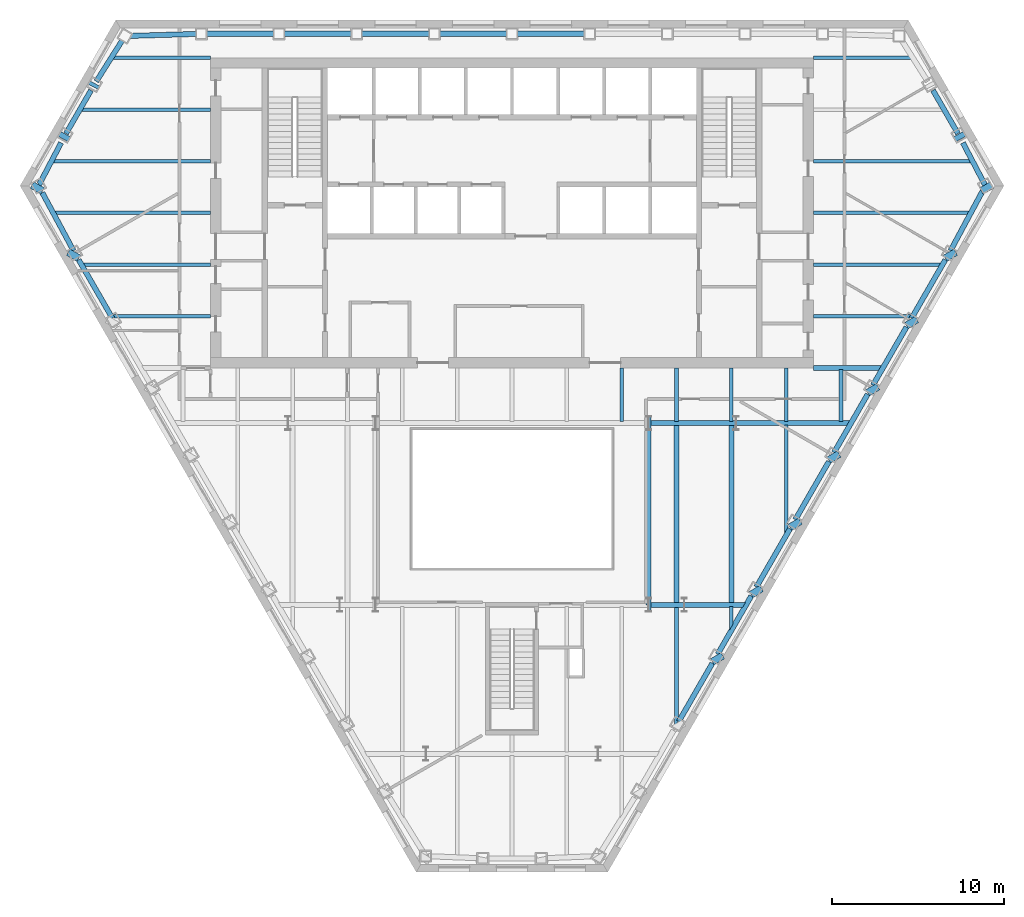
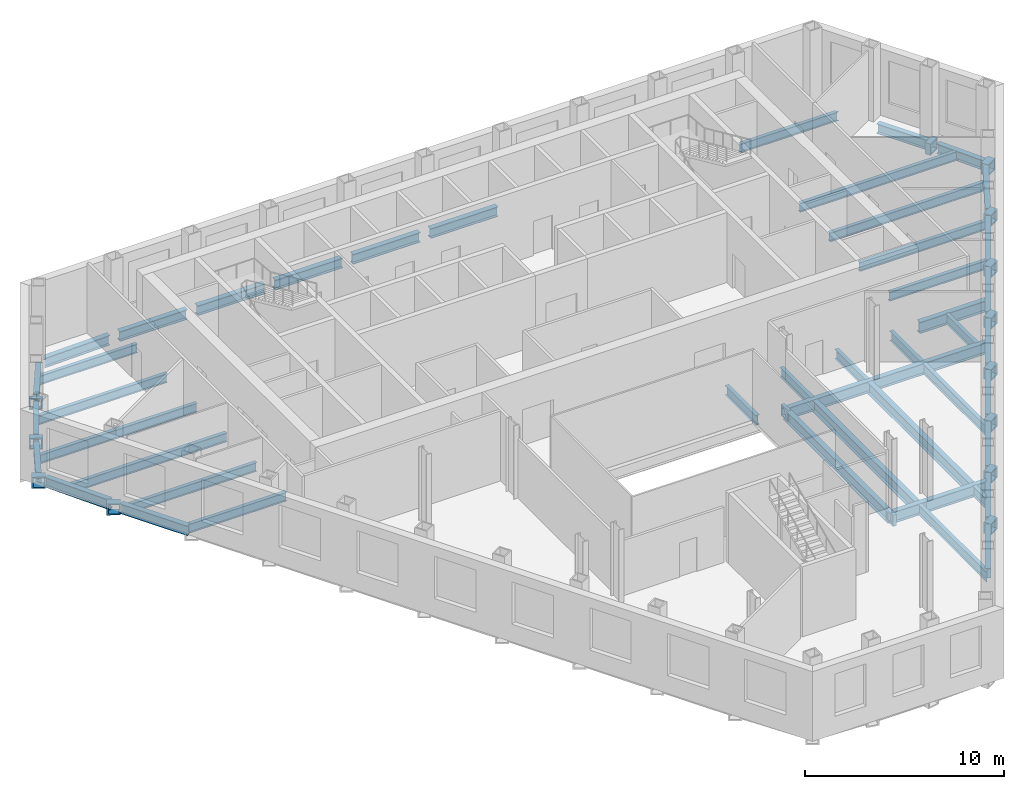
# One storey, part 3 of 12: 63 beams.
"""IFC4 building model written with IfcOpenShell, lengths in metres."""

import ifcopenshell
import ifcopenshell.guid

model = None  # the IFC model being written
_history = None  # IfcOwnerHistory: only IFC2X3 demands one
_inside = {}  # id of a spatial element -> (the spatial element, [elements in it])
_under = {}  # id of a project, library or spatial element -> (it, [spatial elements below it])
_declared = {}  # id of a project -> (the project, [libraries it declares])
_typed = {}  # id of a type object -> (the type object, [elements of that type])
_made_of = {}  # id of a material, layer set ... -> (it, [elements and type objects made of it])


def new_model(schema):
    """Start an empty IFC model of exactly this schema.

    Asked for "IFC4X3", IfcOpenShell would pick the latest addendum, in which some entities
    have other attributes; the version numbers below select the first issue.
    IFC2X3 requires an IfcOwnerHistory on every rooted entity: one is made here for all.
    """
    global model, _history
    if schema == "IFC4X3":
        model = ifcopenshell.file(schema_version=(4, 3, 0, 0))
    else:
        model = ifcopenshell.file(schema=schema)
    _inside.clear()
    _under.clear()
    _declared.clear()
    _typed.clear()
    _made_of.clear()
    _history = None
    if model.schema == "IFC2X3":
        org = make("IfcOrganization", Name="unknown")
        user = make(
            "IfcPersonAndOrganization",
            ThePerson=make("IfcPerson", FamilyName="unknown"),
            TheOrganization=org,
        )
        app = make(
            "IfcApplication",
            ApplicationDeveloper=org,
            Version="unknown",
            ApplicationFullName="unknown",
            ApplicationIdentifier="unknown",
        )
        _history = make(
            "IfcOwnerHistory",
            OwningUser=user,
            OwningApplication=app,
            ChangeAction="ADDED",
            CreationDate=0,
        )
    return model


def make(cls, **values):
    """One entity of the class cls with the attributes given. An attribute that is None is left unset."""
    return model.create_entity(
        cls, **{name: value for name, value in values.items() if value is not None}
    )


def rooted(cls, **values):
    """An entity with a GlobalId (a new one), such as an element, a storey or a relation."""
    return make(cls, GlobalId=ifcopenshell.guid.new(), OwnerHistory=_history, **values)


def si_unit(unit_type, name, prefix=None):
    """IfcSIUnit, for example si_unit("LENGTHUNIT", "METRE", prefix="MILLI")."""
    return make("IfcSIUnit", UnitType=unit_type, Prefix=prefix, Name=name)


def assignment(units):
    """IfcUnitAssignment: the units of a project."""
    return None if units is None else make("IfcUnitAssignment", Units=units)


def point(xyz):
    """IfcCartesianPoint."""
    return None if xyz is None else make("IfcCartesianPoint", Coordinates=xyz)


def direction(xyz):
    """IfcDirection."""
    return None if xyz is None else make("IfcDirection", DirectionRatios=xyz)


def frame(location, z_axis=None, x_axis=None):
    """IfcAxis2Placement3D, a coordinate frame: its origin and axes. An axis left out is left unset."""
    return make(
        "IfcAxis2Placement3D",
        Location=point(location),
        Axis=direction(z_axis),
        RefDirection=direction(x_axis),
    )


def frame_2d(location, x_axis=None):
    """IfcAxis2Placement2D, a coordinate frame in the plane: its origin and x axis."""
    return make(
        "IfcAxis2Placement2D", Location=point(location), RefDirection=direction(x_axis)
    )


def origin():
    """The frame at (0, 0, 0) with its axes left unset."""
    return frame((0.0, 0.0, 0.0))


def origin_2d():
    """The frame at (0, 0) in the plane with its x axis left unset."""
    return frame_2d((0.0, 0.0))


def place(relative_to, where):
    """IfcLocalPlacement: puts the frame where relative to a parent placement (None: the world)."""
    return make(
        "IfcLocalPlacement", PlacementRelTo=relative_to, RelativePlacement=where
    )


def context(
    kind, dimensions, precision=None, world=None, true_north=None, identifier=None
):
    """IfcGeometricRepresentationContext, for example the 3D "Model" context."""
    return make(
        "IfcGeometricRepresentationContext",
        ContextIdentifier=identifier,
        ContextType=kind,
        CoordinateSpaceDimension=dimensions,
        Precision=precision,
        WorldCoordinateSystem=world,
        TrueNorth=true_north,
    )


def subcontext(parent, identifier, kind, view, scale=None):
    """IfcGeometricRepresentationSubContext, for example "Body" below "Model"."""
    return make(
        "IfcGeometricRepresentationSubContext",
        ContextIdentifier=identifier,
        ContextType=kind,
        ParentContext=parent,
        TargetScale=scale,
        TargetView=view,
    )


def project(units=None, contexts=None):
    """IfcProject with its units and contexts."""
    return rooted(
        "IfcProject",
        Name="project",
        RepresentationContexts=contexts,
        UnitsInContext=assignment(units),
    )


def spatial(cls, under=None, at=None, **own):
    """A site, building, storey or space (cls), placed at a placement, below another one or the project."""
    s = rooted(cls, ObjectPlacement=at, **own)
    if under is not None:
        _under.setdefault(under.id(), (under, []))[1].append(s)
    return s


def profile(cls, at=None, kind="AREA", **sizes):
    """A parametric profile (cls). Its sizes go by their IFC names, for example OverallWidth=200.0."""
    return make(cls, ProfileType=kind, Position=at, **sizes)


def hollow_rectangle(**sizes):
    """IfcRectangleHollowProfileDef."""
    return profile("IfcRectangleHollowProfileDef", **sizes)


def i_section(**sizes):
    """IfcIShapeProfileDef."""
    return profile("IfcIShapeProfileDef", **sizes)


def extrude(swept, where, along, depth):
    """IfcExtrudedAreaSolid: the profile swept, set in the frame where, extruded along a direction by depth."""
    return make(
        "IfcExtrudedAreaSolid",
        SweptArea=swept,
        Position=where,
        ExtrudedDirection=direction(along),
        Depth=depth,
    )


def clip(a, b, op="DIFFERENCE"):
    """IfcBooleanClippingResult: the solid a cut by the half space b."""
    return make(
        "IfcBooleanClippingResult", Operator=op, FirstOperand=a, SecondOperand=b
    )


def halfspace(plane, agree):
    """IfcHalfSpaceSolid: all space on one side of the plane z = 0 of the frame plane."""
    return make(
        "IfcHalfSpaceSolid",
        BaseSurface=make("IfcPlane", Position=plane),
        AgreementFlag=agree,
    )


def shape(context_of_items, identifier, shape_type, items):
    """IfcShapeRepresentation: the items that make up one representation, for example the "Body"."""
    return make(
        "IfcShapeRepresentation",
        ContextOfItems=context_of_items,
        RepresentationIdentifier=identifier,
        RepresentationType=shape_type,
        Items=items,
    )


def material(Name=None, Category=None):
    """IfcMaterial."""
    return make("IfcMaterial", Name=Name, Category=Category)


def material_profile(
    of_material, cross_section, Name=None, Category=None, Priority=None
):
    """IfcMaterialProfile: a cross section and its material."""
    return make(
        "IfcMaterialProfile",
        Name=Name,
        Material=of_material,
        Profile=cross_section,
        Priority=Priority,
        Category=Category,
    )


def profile_set(profiles, Name=None, composite=None):
    """IfcMaterialProfileSet."""
    return make(
        "IfcMaterialProfileSet",
        Name=Name,
        MaterialProfiles=profiles,
        CompositeProfile=composite,
    )


def made_of(thing, what):
    """Note that an element or type object is made of a material, layer set ...; save() writes the relation."""
    if what is not None:
        _made_of.setdefault(what.id(), (what, []))[1].append(thing)
    return thing


def type_object(cls, material=None, **own):
    """A type object (cls), such as IfcWallType, which elements share."""
    return made_of(rooted(cls, **own), material)


def element(
    cls,
    number,
    at=None,
    inside=None,
    cuts=None,
    type_object=None,
    material=None,
    context=None,
    identifier="Body",
    shape_type=None,
    held_by="IfcProductDefinitionShape",
    body=None,
    shapes=None,
    **own,
):
    """One element of the class cls, such as IfcWall. Its Tag is "e" and its number.

    at: its placement. inside: the storey or other place that contains it. cuts: it is an
    opening in that element (IfcRelVoidsElement). A single representation is given by context,
    identifier, shape_type and body (its items); several are given by shapes. held_by: the class
    of the entity that holds the representations. save() writes the other relations.
    """
    e = rooted(cls, Tag="e%d" % number, ObjectPlacement=at, **own)
    if body is not None:
        shapes = [shape(context, identifier, shape_type, body)]
    if shapes is not None:
        e.Representation = make(held_by, Representations=shapes)
    if inside is not None:
        _inside.setdefault(inside.id(), (inside, []))[1].append(e)
    if cuts is not None:
        rooted(
            "IfcRelVoidsElement", RelatingBuildingElement=cuts, RelatedOpeningElement=e
        )
    if type_object is not None:
        _typed.setdefault(type_object.id(), (type_object, []))[1].append(e)
    return made_of(e, material)


def aggregate(whole, parts):
    """IfcRelAggregates: a whole, such as a stair, and the parts it consists of."""
    return rooted("IfcRelAggregates", RelatingObject=whole, RelatedObjects=parts)


def save(model, path):
    """Write the relations noted so far, then the file.

    IfcRelAggregates (storeys below a building ...), IfcRelContainedInSpatialStructure (elements
    in a storey), IfcRelDefinesByType, IfcRelAssociatesMaterial and IfcRelDeclares: one each for
    every whole, place, type object, material and project.
    """
    for whole, parts in _under.values():
        aggregate(whole, parts)
    for where, things in _inside.values():
        rooted(
            "IfcRelContainedInSpatialStructure",
            RelatedElements=things,
            RelatingStructure=where,
        )
    for kind, things in _typed.values():
        rooted("IfcRelDefinesByType", RelatedObjects=things, RelatingType=kind)
    for what, things in _made_of.values():
        rooted("IfcRelAssociatesMaterial", RelatedObjects=things, RelatingMaterial=what)
    for by, libraries in _declared.values():
        rooted("IfcRelDeclares", RelatingContext=by, RelatedDefinitions=libraries)
    model.write(path)


model = new_model("IFC4")

# Units and contexts
model_context = context("Model", 3, precision=1e-05, world=origin(), true_north=direction((0.0, 1.0)))
body_context = subcontext(model_context, "Body", "Model", "MODEL_VIEW")
ifc_project = project(units=[si_unit("LENGTHUNIT", "METRE"), si_unit("AREAUNIT", "SQUARE_METRE"), si_unit("VOLUMEUNIT", "CUBIC_METRE"), si_unit("PLANEANGLEUNIT", "RADIAN"), si_unit("MASSUNIT", "GRAM", prefix="KILO")], contexts=[model_context])

# Site, building, storey
site_placement = place(None, origin())
site = spatial("IfcSite", under=ifc_project, at=site_placement, CompositionType="ELEMENT")
building_placement = place(site_placement, origin())
building = spatial("IfcBuilding", under=site, at=building_placement, Name="Njiva Tower", CompositionType="ELEMENT")
storey_placement = place(building_placement, frame((0.0, 0.0, 60.3)))
storey = spatial("IfcBuildingStorey", under=building, at=storey_placement, Name="L12", CompositionType="ELEMENT", Elevation=60.3)

# Beams
ifc_material = material(Name="Steel S355 J2", Category="steel")
ifc_material_profile_1 = material_profile(ifc_material, i_section(OverallWidth=0.21, OverallDepth=0.55, WebThickness=0.0111, FlangeThickness=0.0172, at=origin_2d()), Name="IPE 550")
ifc_profile_set_1 = profile_set([ifc_material_profile_1], Name="Steel S355 J2")
beam_type_1 = type_object("IfcBeamType", Name="B10 Floor beam to the core IPE 550", PredefinedType="BEAM", material=ifc_profile_set_1)
beam_1_placement = place(storey_placement, frame((-23.226, 3.0, -0.475), z_axis=(1.0, 0.0, 0.0), x_axis=(0.0, 1.0, 0.0)))
element("IfcBeam", 1, at=beam_1_placement, inside=storey, type_object=beam_type_1, Name="Floor beam to the core S04-B005", PredefinedType="BEAM", context=body_context, shape_type="Clipping", body=[
    clip(extrude(i_section(OverallWidth=0.21, OverallDepth=0.55, WebThickness=0.0111, FlangeThickness=0.0172, at=origin_2d()), origin(), (0.0, 0.0, 1.0), 5.726), halfspace(frame((-0.025, 0.0, 0.0951), z_axis=(-0.499998009787, 0.0, -0.866026552831), x_axis=(0.0, -1.0, 0.0)), False)),
])
beam_2_placement = place(storey_placement, frame((17.5, 3.0, -0.475), z_axis=(1.0, 0.0, 0.0), x_axis=(0.0, 1.0, 0.0)))
element("IfcBeam", 2, at=beam_2_placement, inside=storey, type_object=beam_type_1, Name="Floor beam to the core S04-B009", PredefinedType="BEAM", context=body_context, shape_type="Clipping", body=[
    clip(extrude(i_section(OverallWidth=0.21, OverallDepth=0.55, WebThickness=0.0111, FlangeThickness=0.0172, at=origin_2d()), origin(), (0.0, 0.0, 1.0), 5.726), halfspace(frame((-0.025, 0.0, 5.6309), z_axis=(-0.499998009787, 0.0, 0.866026552831), x_axis=(0.0, 1.0, 0.0)), False)),
])
beam_3_placement = place(storey_placement, frame((-24.958, 6.0, -0.475), z_axis=(1.0, 0.0, 0.0), x_axis=(0.0, 1.0, 0.0)))
element("IfcBeam", 3, at=beam_3_placement, inside=storey, type_object=beam_type_1, Name="Floor beam to the core S04-B004", PredefinedType="BEAM", context=body_context, shape_type="Clipping", body=[
    clip(extrude(i_section(OverallWidth=0.21, OverallDepth=0.55, WebThickness=0.0111, FlangeThickness=0.0172, at=origin_2d()), origin(), (0.0, 0.0, 1.0), 7.458), halfspace(frame((-0.025, 0.0, 0.095), z_axis=(-0.499998009787, 0.0, -0.866026552831), x_axis=(0.0, -1.0, 0.0)), False)),
])
beam_4_placement = place(storey_placement, frame((17.5, 6.0, -0.475), z_axis=(1.0, 0.0, 0.0), x_axis=(0.0, 1.0, 0.0)))
element("IfcBeam", 4, at=beam_4_placement, inside=storey, type_object=beam_type_1, Name="Floor beam to the core S04-B010", PredefinedType="BEAM", context=body_context, shape_type="Clipping", body=[
    clip(extrude(i_section(OverallWidth=0.21, OverallDepth=0.55, WebThickness=0.0111, FlangeThickness=0.0172, at=origin_2d()), origin(), (0.0, 0.0, 1.0), 7.458), halfspace(frame((-0.025, 0.0, 7.363), z_axis=(-0.499998009787, 0.0, 0.866026552831), x_axis=(0.0, 1.0, 0.0)), False)),
])
beam_5_placement = place(storey_placement, frame((-26.596, 9.0, -0.475), z_axis=(1.0, 0.0, 0.0), x_axis=(0.0, 1.0, 0.0)))
element("IfcBeam", 5, at=beam_5_placement, inside=storey, type_object=beam_type_1, Name="Floor beam to the core S04-B002", PredefinedType="BEAM", context=body_context, shape_type="Clipping", body=[
    clip(extrude(i_section(OverallWidth=0.21, OverallDepth=0.55, WebThickness=0.0111, FlangeThickness=0.0172, at=origin_2d()), origin(), (0.0, 0.0, 1.0), 9.096), halfspace(frame((-0.0237, 0.0, 0.0889), z_axis=(-0.473777178452, 0.0, -0.88064475538), x_axis=(0.0, -1.0, 0.0)), False)),
])
beam_6_placement = place(storey_placement, frame((17.5, 9.0, -0.475), z_axis=(1.0, 0.0, 0.0), x_axis=(0.0, 1.0, 0.0)))
element("IfcBeam", 6, at=beam_6_placement, inside=storey, type_object=beam_type_1, Name="Floor beam to the core S04-B011", PredefinedType="BEAM", context=body_context, shape_type="Clipping", body=[
    clip(extrude(i_section(OverallWidth=0.21, OverallDepth=0.55, WebThickness=0.0111, FlangeThickness=0.0172, at=origin_2d()), origin(), (0.0, 0.0, 1.0), 9.096), halfspace(frame((-0.0237, 0.0, 9.0071), z_axis=(-0.473777178452, 0.0, 0.88064475538), x_axis=(0.0, 1.0, 0.0)), False)),
])
beam_7_placement = place(storey_placement, frame((-26.698, 12.0, -0.475), z_axis=(1.0, 0.0, 0.0), x_axis=(0.0, 1.0, 0.0)))
element("IfcBeam", 7, at=beam_7_placement, inside=storey, type_object=beam_type_1, Name="Floor beam to the core S04-B001", PredefinedType="BEAM", context=body_context, shape_type="Clipping", body=[
    clip(extrude(i_section(OverallWidth=0.21, OverallDepth=0.55, WebThickness=0.0111, FlangeThickness=0.0172, at=origin_2d()), origin(), (0.0, 0.0, 1.0), 9.198), halfspace(frame((0.0232, 0.0, 0.087), z_axis=(0.46488936101, 0.0, -0.885368783061), x_axis=(0.0, -1.0, 0.0)), False)),
])
beam_8_placement = place(storey_placement, frame((17.5, 12.0, -0.475), z_axis=(1.0, 0.0, 0.0), x_axis=(0.0, 1.0, 0.0)))
element("IfcBeam", 8, at=beam_8_placement, inside=storey, type_object=beam_type_1, Name="Floor beam to the core S04-B012", PredefinedType="BEAM", context=body_context, shape_type="Clipping", body=[
    clip(extrude(i_section(OverallWidth=0.21, OverallDepth=0.55, WebThickness=0.0111, FlangeThickness=0.0172, at=origin_2d()), origin(), (0.0, 0.0, 1.0), 9.198), halfspace(frame((0.0232, 0.0, 9.111), z_axis=(0.46488936101, 0.0, 0.885368783061), x_axis=(0.0, 1.0, 0.0)), False)),
])
beam_9_placement = place(storey_placement, frame((-25.049, 15.0, -0.475), z_axis=(1.0, 0.0, 0.0), x_axis=(0.0, 1.0, 0.0)))
element("IfcBeam", 9, at=beam_9_placement, inside=storey, type_object=beam_type_1, Name="Floor beam to the core S04-B003", PredefinedType="BEAM", context=body_context, shape_type="Clipping", body=[
    clip(extrude(i_section(OverallWidth=0.21, OverallDepth=0.55, WebThickness=0.0111, FlangeThickness=0.0172, at=origin_2d()), origin(), (0.0, 0.0, 1.0), 7.549), halfspace(frame((0.025, 0.0, 0.0954), z_axis=(0.499998009787, 0.0, -0.866026552831), x_axis=(0.0, -1.0, 0.0)), False)),
])
beam_10_placement = place(storey_placement, frame((-23.235, 18.0, -0.475), z_axis=(1.0, 0.0, 0.0), x_axis=(0.0, 1.0, 0.0)))
element("IfcBeam", 10, at=beam_10_placement, inside=storey, type_object=beam_type_1, Name="Floor beam to the core S04-B006", PredefinedType="BEAM", context=body_context, shape_type="Clipping", body=[
    clip(extrude(i_section(OverallWidth=0.21, OverallDepth=0.55, WebThickness=0.0111, FlangeThickness=0.0172, at=origin_2d()), origin(), (0.0, 0.0, 1.0), 5.735), halfspace(frame((0.0267, 0.0, 0.1031), z_axis=(0.534309369462, 0.0, -0.845289002475), x_axis=(0.0, -1.0, 0.0)), False)),
])
beam_11_placement = place(storey_placement, frame((17.5, 18.0, -0.475), z_axis=(1.0, 0.0, 0.0), x_axis=(0.0, 1.0, 0.0)))
element("IfcBeam", 11, at=beam_11_placement, inside=storey, type_object=beam_type_1, Name="Floor beam to the core S04-B014", PredefinedType="BEAM", context=body_context, shape_type="Clipping", body=[
    clip(extrude(i_section(OverallWidth=0.21, OverallDepth=0.55, WebThickness=0.0111, FlangeThickness=0.0172, at=origin_2d()), origin(), (0.0, 0.0, 1.0), 5.735), halfspace(frame((0.0267, 0.0, 5.6319), z_axis=(0.534309369462, 0.0, 0.845289002475), x_axis=(0.0, 1.0, 0.0)), False)),
])
ifc_material_profile_2 = material_profile(ifc_material, i_section(OverallWidth=0.3, OverallDepth=0.69, WebThickness=0.0145, FlangeThickness=0.027, at=origin_2d()), Name="HEA 700")
ifc_profile_set_2 = profile_set([ifc_material_profile_2], Name="Steel S355 J2")
beam_type_2 = type_object("IfcBeamType", Name="B12 Long-span floor joist HEA 700", PredefinedType="JOIST", material=ifc_profile_set_2)
for number, where, z_axis, x_axis, name in (
    (12, (9.55, -3.3, -0.545), (0.0, -1.0, 0.0), (1.0, 0.0, 0.0), "Long-span floor joist S04-B087"),
    (13, (12.733, -3.3, -0.545), (0.0, -1.0, 0.0), (1.0, 0.0, 0.0), "Long-span floor joist S04-B090"),
):
    element("IfcBeam", number, at=place(storey_placement, frame(where, z_axis=z_axis, x_axis=x_axis)), inside=storey, type_object=beam_type_2, Name=name, PredefinedType="JOIST", context=body_context, shape_type="SweptSolid", body=[
        extrude(i_section(OverallWidth=0.3, OverallDepth=0.69, WebThickness=0.0145, FlangeThickness=0.027, at=origin_2d()), origin(), (0.0, 0.0, 1.0), 10.35),
    ])
ifc_material_profile_3 = material_profile(ifc_material, i_section(OverallWidth=0.22, OverallDepth=0.6, WebThickness=0.012, FlangeThickness=0.019, at=origin_2d()), Name="IPE 600")
ifc_profile_set_3 = profile_set([ifc_material_profile_3], Name="Steel S355 J2")
beam_type_3 = type_object("IfcBeamType", Name="B13 Floor joist IPE 600", PredefinedType="JOIST", material=ifc_profile_set_3)
beam_12_placement = place(storey_placement, frame((9.55, -13.85, -0.5), z_axis=(0.0, -1.0, 0.0), x_axis=(1.0, 0.0, 0.0)))
element("IfcBeam", 14, at=beam_12_placement, inside=storey, type_object=beam_type_3, Name="Floor joist S04-B085", PredefinedType="JOIST", context=body_context, shape_type="Clipping", body=[
    clip(extrude(i_section(OverallWidth=0.22, OverallDepth=0.6, WebThickness=0.012, FlangeThickness=0.019, at=origin_2d()), origin(), (0.0, 0.0, 1.0), 7.02), halfspace(frame((0.0433, 0.0, 6.7341), z_axis=(0.866026552831, 0.0, 0.499998009787), x_axis=(0.0, 1.0, 0.0)), False)),
])
beam_13_placement = place(storey_placement, frame((15.917, -3.3, -0.5), z_axis=(0.0, -1.0, 0.0), x_axis=(1.0, 0.0, 0.0)))
element("IfcBeam", 15, at=beam_13_placement, inside=storey, type_object=beam_type_3, Name="Floor joist S04-B092", PredefinedType="JOIST", context=body_context, shape_type="Clipping", body=[
    clip(extrude(i_section(OverallWidth=0.22, OverallDepth=0.6, WebThickness=0.012, FlangeThickness=0.019, at=origin_2d()), origin(), (0.0, 0.0, 1.0), 6.431), halfspace(frame((0.043, 0.0, 6.1454), z_axis=(0.866026552831, 0.0, 0.499998009787), x_axis=(0.0, 1.0, 0.0)), False)),
])
ifc_material_profile_4 = material_profile(ifc_material, i_section(OverallWidth=0.22, OverallDepth=0.6, WebThickness=0.012, FlangeThickness=0.019, at=origin_2d()), Name="IPE 600")
ifc_profile_set_4 = profile_set([ifc_material_profile_4], Name="Steel S355 J2")
beam_type_4 = type_object("IfcBeamType", Name="B14 Short-span floor joist IPE 600", PredefinedType="JOIST", material=ifc_profile_set_4)
beam_14_placement = place(storey_placement, frame((6.367, -0.005, -0.5), z_axis=(0.0, -1.0, 0.0), x_axis=(1.0, 0.0, 0.0)))
element("IfcBeam", 16, at=beam_14_placement, inside=storey, type_object=beam_type_4, Name="Short-span floor joist S04-B084", PredefinedType="JOIST", context=body_context, shape_type="SweptSolid", body=[
    extrude(i_section(OverallWidth=0.22, OverallDepth=0.6, WebThickness=0.012, FlangeThickness=0.019, at=origin_2d()), origin(), (0.0, 0.0, 1.0), 3.094),
])
for number, where, z_axis, x_axis, name in (
    (17, (9.55, -0.005, -0.5), (0.0, -1.0, 0.0), (1.0, 0.0, 0.0), "Short-span floor joist S04-B088"),
    (18, (12.733, -0.005, -0.5), (0.0, -1.0, 0.0), (1.0, 0.0, 0.0), "Short-span floor joist S04-B091"),
):
    element("IfcBeam", number, at=place(storey_placement, frame(where, z_axis=z_axis, x_axis=x_axis)), inside=storey, type_object=beam_type_4, Name=name, PredefinedType="JOIST", context=body_context, shape_type="SweptSolid", body=[
        extrude(i_section(OverallWidth=0.22, OverallDepth=0.6, WebThickness=0.012, FlangeThickness=0.019, at=origin_2d()), origin(), (0.0, 0.0, 1.0), 3.095),
    ])
beam_15_placement = place(storey_placement, frame((12.733, -13.85, -0.5), z_axis=(0.0, -1.0, 0.0), x_axis=(1.0, 0.0, 0.0)))
element("IfcBeam", 19, at=beam_15_placement, inside=storey, type_object=beam_type_4, Name="Short-span floor joist S04-B089", PredefinedType="JOIST", context=body_context, shape_type="Clipping", body=[
    clip(extrude(i_section(OverallWidth=0.22, OverallDepth=0.6, WebThickness=0.012, FlangeThickness=0.019, at=origin_2d()), origin(), (0.0, 0.0, 1.0), 1.395), halfspace(frame((0.0436, 0.0, 1.1091), z_axis=(0.866026552831, 0.0, 0.499998009787), x_axis=(0.0, 1.0, 0.0)), False)),
])
beam_16_placement = place(storey_placement, frame((15.917, -0.005, -0.5), z_axis=(0.0, -1.0, 0.0), x_axis=(1.0, 0.0, 0.0)))
element("IfcBeam", 20, at=beam_16_placement, inside=storey, type_object=beam_type_4, Name="Short-span floor joist S04-B093", PredefinedType="JOIST", context=body_context, shape_type="SweptSolid", body=[
    extrude(i_section(OverallWidth=0.22, OverallDepth=0.6, WebThickness=0.012, FlangeThickness=0.019, at=origin_2d()), origin(), (0.0, 0.0, 1.0), 3.095),
])
beam_17_placement = place(storey_placement, frame((19.1, -0.1, -0.5), z_axis=(0.0, -1.0, 0.0), x_axis=(1.0, 0.0, 0.0)))
element("IfcBeam", 21, at=beam_17_placement, inside=storey, type_object=beam_type_4, Name="Short-span floor joist S04-B094", PredefinedType="JOIST", context=body_context, shape_type="SweptSolid", body=[
    extrude(i_section(OverallWidth=0.22, OverallDepth=0.6, WebThickness=0.012, FlangeThickness=0.019, at=origin_2d()), origin(), (0.0, 0.0, 1.0), 3.0),
])
ifc_material_profile_5 = material_profile(ifc_material, i_section(OverallWidth=0.3, OverallDepth=0.69, WebThickness=0.0145, FlangeThickness=0.027, at=origin_2d()), Name="HEA 700")
ifc_profile_set_5 = profile_set([ifc_material_profile_5], Name="Steel S355 J2")
beam_type_5 = type_object("IfcBeamType", Name="B15 Floor girder HEA 700", PredefinedType="BEAM", material=ifc_profile_set_5)
beam_18_placement = place(storey_placement, frame((7.93, -3.2, -0.545), z_axis=(1.0, 0.0, 0.0), x_axis=(0.0, 1.0, 0.0)))
element("IfcBeam", 22, at=beam_18_placement, inside=storey, type_object=beam_type_5, Name="Floor girder S04-B024", PredefinedType="BEAM", context=body_context, shape_type="SweptSolid", body=[
    extrude(i_section(OverallWidth=0.3, OverallDepth=0.69, WebThickness=0.0145, FlangeThickness=0.027, at=origin_2d()), origin(), (0.0, 0.0, 1.0), 5.07),
])
beam_19_placement = place(storey_placement, frame((13.0, -3.2, -0.545), z_axis=(1.0, 0.0, 0.0), x_axis=(0.0, 1.0, 0.0)))
element("IfcBeam", 23, at=beam_19_placement, inside=storey, type_object=beam_type_5, Name="Floor girder S04-B026", PredefinedType="BEAM", context=body_context, shape_type="Clipping", body=[
    clip(extrude(i_section(OverallWidth=0.3, OverallDepth=0.69, WebThickness=0.0145, FlangeThickness=0.027, at=origin_2d()), origin(), (0.0, 0.0, 1.0), 6.673), halfspace(frame((-0.025, 0.0, 6.5513), z_axis=(-0.499998009787, 0.0, 0.866026552831), x_axis=(0.0, 1.0, 0.0)), False)),
])
ifc_material_profile_6 = material_profile(ifc_material, i_section(OverallWidth=0.3, OverallDepth=0.69, WebThickness=0.0145, FlangeThickness=0.027, at=origin_2d()), Name="HEA 700")
ifc_profile_set_6 = profile_set([ifc_material_profile_6], Name="Steel S355 J2")
beam_type_6 = type_object("IfcBeamType", Name="B16 Short-span floor girder HEA 700", PredefinedType="BEAM", material=ifc_profile_set_6)
beam_20_placement = place(storey_placement, frame((7.93, -13.75, -0.545), z_axis=(1.0, 0.0, 0.0), x_axis=(0.0, 1.0, 0.0)))
element("IfcBeam", 24, at=beam_20_placement, inside=storey, type_object=beam_type_6, Name="Short-span floor girder S04-B023", PredefinedType="BEAM", context=body_context, shape_type="SweptSolid", body=[
    extrude(i_section(OverallWidth=0.3, OverallDepth=0.69, WebThickness=0.0145, FlangeThickness=0.027, at=origin_2d()), origin(), (0.0, 0.0, 1.0), 2.07),
])
beam_21_placement = place(storey_placement, frame((10.0, -13.75, -0.545), z_axis=(1.0, 0.0, 0.0), x_axis=(0.0, 1.0, 0.0)))
element("IfcBeam", 25, at=beam_21_placement, inside=storey, type_object=beam_type_6, Name="Short-span floor girder S04-B025", PredefinedType="BEAM", context=body_context, shape_type="Clipping", body=[
    clip(extrude(i_section(OverallWidth=0.3, OverallDepth=0.69, WebThickness=0.0145, FlangeThickness=0.027, at=origin_2d()), origin(), (0.0, 0.0, 1.0), 3.582), halfspace(frame((-0.025, 0.0, 3.4603), z_axis=(-0.499998009787, 0.0, 0.866026552831), x_axis=(0.0, 1.0, 0.0)), False)),
])
beam_22_placement = place(storey_placement, frame((17.5, 0.0, -0.545), z_axis=(1.0, 0.0, 0.0), x_axis=(0.0, 1.0, 0.0)))
element("IfcBeam", 26, at=beam_22_placement, inside=storey, type_object=beam_type_6, Name="Short-span floor girder S04-B027", PredefinedType="BEAM", context=body_context, shape_type="Clipping", body=[
    clip(extrude(i_section(OverallWidth=0.3, OverallDepth=0.69, WebThickness=0.0145, FlangeThickness=0.027, at=origin_2d()), origin(), (0.0, 0.0, 1.0), 4.02), halfspace(frame((-0.025, 0.0, 3.8989), z_axis=(-0.499998009787, 0.0, 0.866026552831), x_axis=(0.0, 1.0, 0.0)), False)),
])
ifc_material_profile_7 = material_profile(ifc_material, i_section(OverallWidth=0.3, OverallDepth=0.69, WebThickness=0.0145, FlangeThickness=0.027, at=origin_2d()), Name="HEA 700")
ifc_profile_set_7 = profile_set([ifc_material_profile_7], Name="Steel S355 J2")
beam_type_7 = type_object("IfcBeamType", Name="B18 Long-span atrium trimmer beam HEA 700", PredefinedType="BEAM", material=ifc_profile_set_7)
beam_23_placement = place(storey_placement, frame((7.93, -13.75, -0.545), z_axis=(0.0, 1.0, 0.0), x_axis=(-1.0, 0.0, 0.0)))
element("IfcBeam", 27, at=beam_23_placement, inside=storey, type_object=beam_type_7, Name="Long-span atrium trimmer beam S04-B099", PredefinedType="BEAM", context=body_context, shape_type="SweptSolid", body=[
    extrude(i_section(OverallWidth=0.3, OverallDepth=0.69, WebThickness=0.0145, FlangeThickness=0.027, at=origin_2d()), origin(), (0.0, 0.0, 1.0), 10.55),
])
ifc_material_profile_8 = material_profile(ifc_material, hollow_rectangle(XDim=0.7, YDim=0.7, WallThickness=0.08, at=origin_2d()), Name="BOX 700x700x80")
ifc_profile_set_8 = profile_set([ifc_material_profile_8], Name="Steel S355 J2")
beam_type_8 = type_object("IfcBeamType", Name="B19 Column jog beam BOX 700x700x80", PredefinedType="BEAM", material=ifc_profile_set_8)
beam_24_placement = place(storey_placement, frame((-24.314, 16.32, -0.55), z_axis=(0.465556443954, 0.885018190487, 0.0), x_axis=(-0.885018190487, 0.465556443954, 0.0)))
element("IfcBeam", 28, at=beam_24_placement, inside=storey, type_object=beam_type_8, Name="Column jog beam S04-B031", PredefinedType="BEAM", context=body_context, shape_type="SweptSolid", body=[
    extrude(hollow_rectangle(XDim=0.7, YDim=0.7, WallThickness=0.08, at=origin_2d()), origin(), (0.0, 0.0, 1.0), 0.2169),
])
beam_25_placement = place(storey_placement, frame((-26.063, 13.293, -0.55), z_axis=(0.480832611207, 0.876812408671, 0.0), x_axis=(-0.876812408671, 0.480832611207, 0.0)))
element("IfcBeam", 29, at=beam_25_placement, inside=storey, type_object=beam_type_8, Name="Column jog beam S04-B029", PredefinedType="BEAM", context=body_context, shape_type="SweptSolid", body=[
    extrude(hollow_rectangle(XDim=0.7, YDim=0.7, WallThickness=0.08, at=origin_2d()), origin(), (0.0, 0.0, 1.0), 0.3182),
])
for number, where, z_axis, x_axis, name in (
    (30, (-27.657, 10.267, -0.55), (0.488090778047, 0.872792869119, 0.0), (-0.872792869119, 0.488090778047, 0.0), "Column jog beam S04-B028"),
    (31, (-25.556, 6.363, -0.55), (0.488090778047, 0.872792869119, 0.0), (-0.872792869119, 0.488090778047, 0.0), "Column jog beam S04-B030"),
):
    element("IfcBeam", number, at=place(storey_placement, frame(where, z_axis=z_axis, x_axis=x_axis)), inside=storey, type_object=beam_type_8, Name=name, PredefinedType="BEAM", context=body_context, shape_type="SweptSolid", body=[
        extrude(hollow_rectangle(XDim=0.7, YDim=0.7, WallThickness=0.08, at=origin_2d()), origin(), (0.0, 0.0, 1.0), 0.4159),
    ])
beam_26_placement = place(storey_placement, frame((12.035, -17.059, -0.55), z_axis=(-0.505223113522, 0.862988763289, 0.0), x_axis=(-0.862988763289, -0.505223113522, 0.0)))
element("IfcBeam", 32, at=beam_26_placement, inside=storey, type_object=beam_type_8, Name="Column jog beam S04-B050", PredefinedType="BEAM", context=body_context, shape_type="SweptSolid", body=[
    extrude(hollow_rectangle(XDim=0.7, YDim=0.7, WallThickness=0.08, at=origin_2d()), origin(), (0.0, 0.0, 1.0), 0.4137),
])
beam_27_placement = place(storey_placement, frame((14.288, -13.156, -0.55), z_axis=(-0.501321266831, 0.865261224962, 0.0), x_axis=(-0.865261224962, -0.501321266831, 0.0)))
element("IfcBeam", 33, at=beam_27_placement, inside=storey, type_object=beam_type_8, Name="Column jog beam S04-B051", PredefinedType="BEAM", context=body_context, shape_type="SweptSolid", body=[
    extrude(hollow_rectangle(XDim=0.7, YDim=0.7, WallThickness=0.08, at=origin_2d()), origin(), (0.0, 0.0, 1.0), 0.4149),
])
for number, where, z_axis, x_axis, name in (
    (34, (16.542, -9.252, -0.55), (-0.498471124258, 0.866906303058, 0.0), (-0.866906303058, -0.498471124258, 0.0), "Column jog beam S04-B052"),
    (35, (18.796, -5.348, -0.55), (-0.498471124258, 0.866906303058, 0.0), (-0.866906303058, -0.498471124258, 0.0), "Column jog beam S04-B053"),
):
    element("IfcBeam", number, at=place(storey_placement, frame(where, z_axis=z_axis, x_axis=x_axis)), inside=storey, type_object=beam_type_8, Name=name, PredefinedType="BEAM", context=body_context, shape_type="SweptSolid", body=[
        extrude(hollow_rectangle(XDim=0.7, YDim=0.7, WallThickness=0.08, at=origin_2d()), origin(), (0.0, 0.0, 1.0), 0.4153),
    ])
beam_28_placement = place(storey_placement, frame((21.05, -1.445, -0.55), z_axis=(-0.496397168374, 0.868095531166, 0.0), x_axis=(-0.868095531166, -0.496397168374, 0.0)))
element("IfcBeam", 36, at=beam_28_placement, inside=storey, type_object=beam_type_8, Name="Column jog beam S04-B054", PredefinedType="BEAM", context=body_context, shape_type="SweptSolid", body=[
    extrude(hollow_rectangle(XDim=0.7, YDim=0.7, WallThickness=0.08, at=origin_2d()), origin(), (0.0, 0.0, 1.0), 0.417),
])
beam_29_placement = place(storey_placement, frame((23.304, 2.459, -0.55), z_axis=(-0.494586791245, 0.86912824481, 0.0), x_axis=(-0.86912824481, -0.494586791245, 0.0)))
element("IfcBeam", 37, at=beam_29_placement, inside=storey, type_object=beam_type_8, Name="Column jog beam S04-B055", PredefinedType="BEAM", context=body_context, shape_type="SweptSolid", body=[
    extrude(hollow_rectangle(XDim=0.7, YDim=0.7, WallThickness=0.08, at=origin_2d()), origin(), (0.0, 0.0, 1.0), 0.4165),
])
for number, where, z_axis, x_axis, name in (
    (38, (25.556, 6.363, -0.55), (-0.488090778047, 0.872792869119, 0.0), (-0.872792869119, -0.488090778047, 0.0), "Column jog beam S04-B057"),
    (39, (27.657, 10.267, -0.55), (-0.488090778047, 0.872792869119, 0.0), (-0.872792869119, -0.488090778047, 0.0), "Column jog beam S04-B059"),
):
    element("IfcBeam", number, at=place(storey_placement, frame(where, z_axis=z_axis, x_axis=x_axis)), inside=storey, type_object=beam_type_8, Name=name, PredefinedType="BEAM", context=body_context, shape_type="SweptSolid", body=[
        extrude(hollow_rectangle(XDim=0.7, YDim=0.7, WallThickness=0.08, at=origin_2d()), origin(), (0.0, 0.0, 1.0), 0.4159),
    ])
beam_30_placement = place(storey_placement, frame((26.063, 13.293, -0.55), z_axis=(-0.480832611207, 0.876812408671, 0.0), x_axis=(-0.876812408671, -0.480832611207, 0.0)))
element("IfcBeam", 40, at=beam_30_placement, inside=storey, type_object=beam_type_8, Name="Column jog beam S04-B058", PredefinedType="BEAM", context=body_context, shape_type="SweptSolid", body=[
    extrude(hollow_rectangle(XDim=0.7, YDim=0.7, WallThickness=0.08, at=origin_2d()), origin(), (0.0, 0.0, 1.0), 0.3182),
])
for number, where, z_axis, x_axis, name in (
    (41, (8.06, -3.2, -0.55), (-1.0, 0.0, 0.0), (0.0, -1.0, 0.0), "Column jog beam S04-B048"),
    (42, (8.06, -13.75, -0.55), (-1.0, 0.0, 0.0), (0.0, -1.0, 0.0), "Column jog beam S04-B047"),
):
    element("IfcBeam", number, at=place(storey_placement, frame(where, z_axis=z_axis, x_axis=x_axis)), inside=storey, type_object=beam_type_8, Name=name, PredefinedType="BEAM", context=body_context, shape_type="SweptSolid", body=[
        extrude(hollow_rectangle(XDim=0.7, YDim=0.7, WallThickness=0.08, at=origin_2d()), origin(), (0.0, 0.0, 1.0), 0.19),
    ])
ifc_material_profile_9 = material_profile(ifc_material, i_section(OverallWidth=0.3, OverallDepth=0.6, WebThickness=0.0155, FlangeThickness=0.03, at=origin_2d()), Name="HEB 600")
ifc_profile_set_9 = profile_set([ifc_material_profile_9], Name="Steel S355 J2")
beam_type_9 = type_object("IfcBeamType", Name="B3 Short-span spandrel beam HEB 600", PredefinedType="SPANDREL", material=ifc_profile_set_9)
for number, where, z_axis, x_axis, name in (
    (43, (4.208, 19.4, -0.5), (-1.0, 0.0, 0.0), (0.0, -1.0, 0.0), "Short-span spandrel beam S04-B139"),
    (44, (-0.3, 19.4, -0.5), (-1.0, 0.0, 0.0), (0.0, -1.0, 0.0), "Short-span spandrel beam S04-B136"),
):
    element("IfcBeam", number, at=place(storey_placement, frame(where, z_axis=z_axis, x_axis=x_axis)), inside=storey, type_object=beam_type_9, Name=name, PredefinedType="SPANDREL", context=body_context, shape_type="SweptSolid", body=[
        extrude(i_section(OverallWidth=0.3, OverallDepth=0.6, WebThickness=0.0155, FlangeThickness=0.03, at=origin_2d()), origin(), (0.0, 0.0, 1.0), 3.908),
    ])
beam_31_placement = place(storey_placement, frame((-4.808, 19.4, -0.5), z_axis=(-1.0, 0.0, 0.0), x_axis=(0.0, -1.0, 0.0)))
element("IfcBeam", 45, at=beam_31_placement, inside=storey, type_object=beam_type_9, Name="Short-span spandrel beam S04-B131", PredefinedType="SPANDREL", context=body_context, shape_type="SweptSolid", body=[
    extrude(i_section(OverallWidth=0.3, OverallDepth=0.6, WebThickness=0.0155, FlangeThickness=0.03, at=origin_2d()), origin(), (0.0, 0.0, 1.0), 3.907),
])
beam_32_placement = place(storey_placement, frame((-9.315, 19.4, -0.5), z_axis=(-1.0, 0.0, 0.0), x_axis=(0.0, -1.0, 0.0)))
element("IfcBeam", 46, at=beam_32_placement, inside=storey, type_object=beam_type_9, Name="Short-span spandrel beam S04-B126", PredefinedType="SPANDREL", context=body_context, shape_type="SweptSolid", body=[
    extrude(i_section(OverallWidth=0.3, OverallDepth=0.6, WebThickness=0.0155, FlangeThickness=0.03, at=origin_2d()), origin(), (0.0, 0.0, 1.0), 3.908),
])
beam_33_placement = place(storey_placement, frame((-13.823, 19.4, -0.5), z_axis=(-1.0, 0.0, 0.0), x_axis=(0.0, -1.0, 0.0)))
element("IfcBeam", 47, at=beam_33_placement, inside=storey, type_object=beam_type_9, Name="Short-span spandrel beam S04-B120", PredefinedType="SPANDREL", context=body_context, shape_type="SweptSolid", body=[
    extrude(i_section(OverallWidth=0.3, OverallDepth=0.6, WebThickness=0.0155, FlangeThickness=0.03, at=origin_2d()), origin(), (0.0, 0.0, 1.0), 3.907),
])
beam_34_placement = place(storey_placement, frame((-18.334, 19.391, -0.5), z_axis=(-0.99955204828, -0.029928293973, 0.0), x_axis=(0.029928293973, -0.99955204828, 0.0)))
element("IfcBeam", 48, at=beam_34_placement, inside=storey, type_object=beam_type_9, Name="Short-span spandrel beam S04-B114", PredefinedType="SPANDREL", context=body_context, shape_type="Clipping", body=[
    clip(extrude(i_section(OverallWidth=0.3, OverallDepth=0.6, WebThickness=0.0155, FlangeThickness=0.03, at=origin_2d()), origin(), (0.0, 0.0, 1.0), 3.8887), halfspace(frame((-0.0259, 0.0, 3.7599), z_axis=(-0.52569273208, 0.0, 0.850674527324), x_axis=(0.0, 1.0, 0.0)), False)),
])
beam_35_placement = place(storey_placement, frame((-22.628, 19.011, -0.5), z_axis=(-0.534340950043, -0.845269039482, 0.0), x_axis=(0.845269039482, -0.534340950043, 0.0)))
element("IfcBeam", 49, at=beam_35_placement, inside=storey, type_object=beam_type_9, Name="Short-span spandrel beam S04-B109", PredefinedType="SPANDREL", context=body_context, shape_type="SweptSolid", body=[
    extrude(i_section(OverallWidth=0.3, OverallDepth=0.6, WebThickness=0.0155, FlangeThickness=0.03, at=origin_2d()), origin(), (0.0, 0.0, 1.0), 2.8109),
])
beam_36_placement = place(storey_placement, frame((-24.44, 16.115, -0.5), z_axis=(-0.499891918698, -0.866087795561, 0.0), x_axis=(0.866087795561, -0.499891918698, 0.0)))
element("IfcBeam", 50, at=beam_36_placement, inside=storey, type_object=beam_type_9, Name="Short-span spandrel beam S04-B105", PredefinedType="SPANDREL", context=body_context, shape_type="SweptSolid", body=[
    extrude(i_section(OverallWidth=0.3, OverallDepth=0.6, WebThickness=0.0155, FlangeThickness=0.03, at=origin_2d()), origin(), (0.0, 0.0, 1.0), 2.8946),
])
beam_37_placement = place(storey_placement, frame((-26.172, 13.074, -0.5), z_axis=(-0.464911833403, -0.885356982896, 0.0), x_axis=(0.885356982896, -0.464911833403, 0.0)))
element("IfcBeam", 51, at=beam_37_placement, inside=storey, type_object=beam_type_9, Name="Short-span spandrel beam S04-B101", PredefinedType="SPANDREL", context=body_context, shape_type="Clipping", body=[
    clip(extrude(i_section(OverallWidth=0.3, OverallDepth=0.6, WebThickness=0.0155, FlangeThickness=0.03, at=origin_2d()), origin(), (0.0, 0.0, 1.0), 2.8811), halfspace(frame((-0.0268, 0.0, 2.7495), z_axis=(-0.534287664495, 0.0, 0.845302721851), x_axis=(0.0, 1.0, 0.0)), False)),
])
beam_38_placement = place(storey_placement, frame((-27.267, 10.177, -0.5), z_axis=(0.473866139808, -0.880596889356, 0.0), x_axis=(0.880596889356, 0.473866139808, 0.0)))
element("IfcBeam", 52, at=beam_38_placement, inside=storey, type_object=beam_type_9, Name="Short-span spandrel beam S04-B104", PredefinedType="SPANDREL", context=body_context, shape_type="SweptSolid", body=[
    extrude(i_section(OverallWidth=0.3, OverallDepth=0.6, WebThickness=0.0155, FlangeThickness=0.03, at=origin_2d()), origin(), (0.0, 0.0, 1.0), 3.8281),
])
for number, where, z_axis, x_axis, name in (
    (53, (-25.156, 6.283, -0.5), (0.500047346826, -0.865998066356, 0.0), (0.865998066356, 0.500047346826, 0.0), "Short-span spandrel beam S04-B108"),
    (54, (9.68, -20.523, -0.5), (0.500047346826, 0.865998066356, 0.0), (-0.865998066356, 0.500047346826, 0.0), "Short-span spandrel beam S04-B149"),
):
    element("IfcBeam", number, at=place(storey_placement, frame(where, z_axis=z_axis, x_axis=x_axis)), inside=storey, type_object=beam_type_9, Name=name, PredefinedType="SPANDREL", context=body_context, shape_type="SweptSolid", body=[
        extrude(i_section(OverallWidth=0.3, OverallDepth=0.6, WebThickness=0.0155, FlangeThickness=0.03, at=origin_2d()), origin(), (0.0, 0.0, 1.0), 3.9076),
    ])
beam_39_placement = place(storey_placement, frame((11.934, -16.619, -0.5), z_axis=(0.499966215292, 0.866044908516, 0.0), x_axis=(-0.866044908516, 0.499966215292, 0.0)))
element("IfcBeam", 55, at=beam_39_placement, inside=storey, type_object=beam_type_9, Name="Short-span spandrel beam S04-B151", PredefinedType="SPANDREL", context=body_context, shape_type="SweptSolid", body=[
    extrude(i_section(OverallWidth=0.3, OverallDepth=0.6, WebThickness=0.0155, FlangeThickness=0.03, at=origin_2d()), origin(), (0.0, 0.0, 1.0), 3.9063),
])
for number, where, z_axis, x_axis, name in (
    (56, (14.187, -12.717, -0.5), (0.499936548189, 0.866062034606, 0.0), (-0.866062034606, 0.499936548189, 0.0), "Short-span spandrel beam S04-B155"),
    (57, (16.441, -8.813, -0.5), (0.499936548189, 0.866062034606, 0.0), (-0.866062034606, 0.499936548189, 0.0), "Short-span spandrel beam S04-B157"),
):
    element("IfcBeam", number, at=place(storey_placement, frame(where, z_axis=z_axis, x_axis=x_axis)), inside=storey, type_object=beam_type_9, Name=name, PredefinedType="SPANDREL", context=body_context, shape_type="SweptSolid", body=[
        extrude(i_section(OverallWidth=0.3, OverallDepth=0.6, WebThickness=0.0155, FlangeThickness=0.03, at=origin_2d()), origin(), (0.0, 0.0, 1.0), 3.9085),
    ])
beam_40_placement = place(storey_placement, frame((18.695, -4.909, -0.5), z_axis=(0.499855389907, 0.866108878364, 0.0), x_axis=(-0.866108878364, 0.499855389907, 0.0)))
element("IfcBeam", 58, at=beam_40_placement, inside=storey, type_object=beam_type_9, Name="Short-span spandrel beam S04-B161", PredefinedType="SPANDREL", context=body_context, shape_type="SweptSolid", body=[
    extrude(i_section(OverallWidth=0.3, OverallDepth=0.6, WebThickness=0.0155, FlangeThickness=0.03, at=origin_2d()), origin(), (0.0, 0.0, 1.0), 3.9071),
])
for number, where, z_axis, x_axis, name in (
    (59, (20.948, -1.005, -0.5), (0.500047346826, 0.865998066356, 0.0), (-0.865998066356, 0.500047346826, 0.0), "Short-span spandrel beam S04-B163"),
    (60, (23.202, 2.899, -0.5), (0.500047346826, 0.865998066356, 0.0), (-0.865998066356, 0.500047346826, 0.0), "Short-span spandrel beam S04-B167"),
):
    element("IfcBeam", number, at=place(storey_placement, frame(where, z_axis=z_axis, x_axis=x_axis)), inside=storey, type_object=beam_type_9, Name=name, PredefinedType="SPANDREL", context=body_context, shape_type="SweptSolid", body=[
        extrude(i_section(OverallWidth=0.3, OverallDepth=0.6, WebThickness=0.0155, FlangeThickness=0.03, at=origin_2d()), origin(), (0.0, 0.0, 1.0), 3.9076),
    ])
beam_41_placement = place(storey_placement, frame((25.453, 6.806, -0.5), z_axis=(0.473704904444, 0.880683634176, 0.0), x_axis=(-0.880683634176, 0.473704904444, 0.0)))
element("IfcBeam", 61, at=beam_41_placement, inside=storey, type_object=beam_type_9, Name="Short-span spandrel beam S04-B171", PredefinedType="SPANDREL", context=body_context, shape_type="Clipping", body=[
    clip(extrude(i_section(OverallWidth=0.3, OverallDepth=0.6, WebThickness=0.0155, FlangeThickness=0.03, at=origin_2d()), origin(), (0.0, 0.0, 1.0), 4.0395), halfspace(frame((-0.0266, 0.0, 3.9104), z_axis=(-0.525843902392, 0.0, 0.850581089795), x_axis=(0.0, 1.0, 0.0)), False)),
])
beam_42_placement = place(storey_placement, frame((27.479, 10.585, -0.5), z_axis=(-0.464910581027, 0.885357640532, 0.0), x_axis=(-0.885357640532, -0.464910581027, 0.0)))
element("IfcBeam", 62, at=beam_42_placement, inside=storey, type_object=beam_type_9, Name="Short-span spandrel beam S04-B174", PredefinedType="SPANDREL", context=body_context, shape_type="SweptSolid", body=[
    extrude(i_section(OverallWidth=0.3, OverallDepth=0.6, WebThickness=0.0155, FlangeThickness=0.03, at=origin_2d()), origin(), (0.0, 0.0, 1.0), 2.8113),
])
beam_43_placement = place(storey_placement, frame((25.887, 13.608, -0.5), z_axis=(-0.499891918698, 0.866087795561, 0.0), x_axis=(-0.866087795561, -0.499891918698, 0.0)))
element("IfcBeam", 63, at=beam_43_placement, inside=storey, type_object=beam_type_9, Name="Short-span spandrel beam S04-B170", PredefinedType="SPANDREL", context=body_context, shape_type="SweptSolid", body=[
    extrude(i_section(OverallWidth=0.3, OverallDepth=0.6, WebThickness=0.0155, FlangeThickness=0.03, at=origin_2d()), origin(), (0.0, 0.0, 1.0), 2.8946),
])

save(model, "model.ifc")
